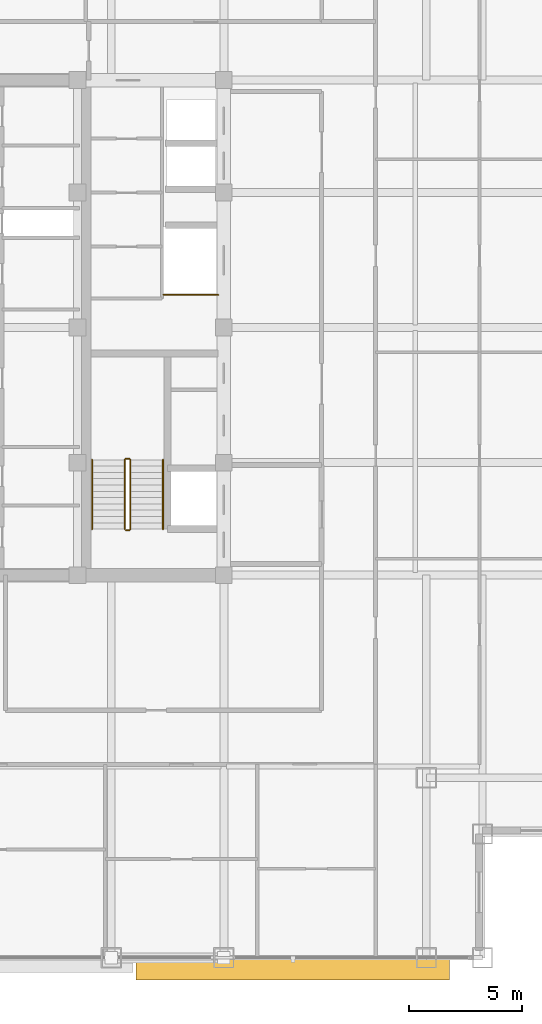
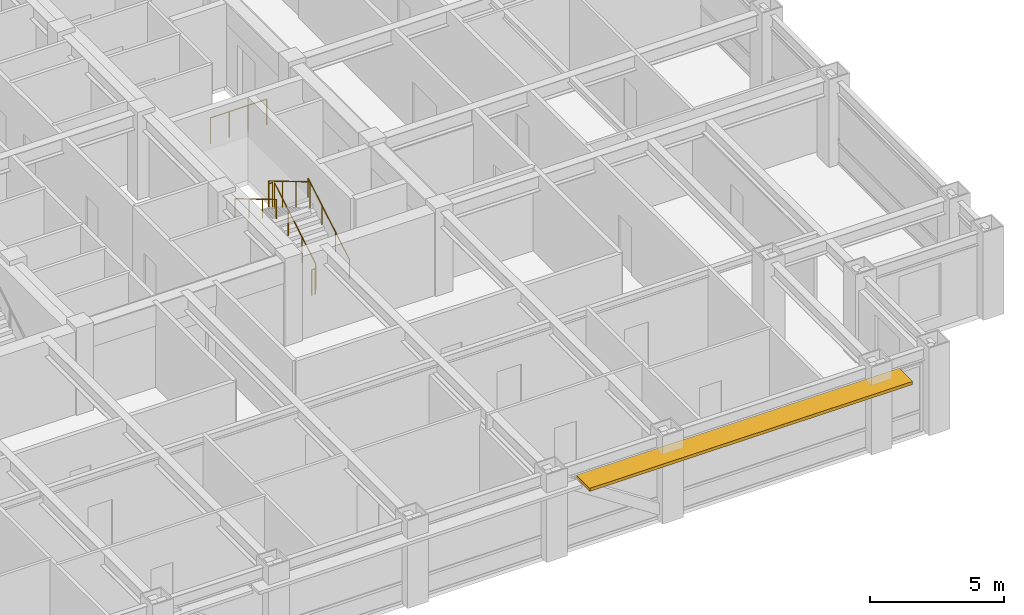
# One storey, part 25 of 27: 7 railings, 1 shading device.
"""IFC4 building model written with IfcOpenShell, lengths in metres."""

from ifc_helpers import new_model, si_unit, direction, frame, origin, origin_2d, place, context, subcontext, project, spatial, rectangle, circle, extrude, source, transform, mapped, material, layer, layer_set, type_object, element, save


model = new_model("IFC4")

# Units and contexts
model_context = context("Model", 3, precision=1e-05, world=origin(), true_north=direction((0.0, 1.0)))
body_context = subcontext(model_context, "Body", "Model", "MODEL_VIEW")
ifc_project = project(units=[si_unit("LENGTHUNIT", "METRE"), si_unit("AREAUNIT", "SQUARE_METRE"), si_unit("VOLUMEUNIT", "CUBIC_METRE"), si_unit("PLANEANGLEUNIT", "RADIAN"), si_unit("MASSUNIT", "GRAM", prefix="KILO")], contexts=[model_context])

# Site, building, storey
site_placement = place(None, origin())
site = spatial("IfcSite", under=ifc_project, at=site_placement, CompositionType="ELEMENT")
building_placement = place(site_placement, origin())
building = spatial("IfcBuilding", under=site, at=building_placement, Name="Khorayat Bourse Tower", CompositionType="ELEMENT")
storey_placement = place(building_placement, frame((0.0, 0.0, 281.5)))
storey = spatial("IfcBuildingStorey", under=building, at=storey_placement, Name="L66", CompositionType="ELEMENT", Elevation=281.5)

# Shading device
ifc_material_1 = material(Name="Precast concrete C45/55", Category="concrete")
ifc_layer = layer(ifc_material_1, 0.139892578125)
ifc_layer_set = layer_set([ifc_layer], Name="Precast concrete C45/55")
shading_device_type = type_object("IfcShadingDeviceType", Name="SHD-WAVE-TRAY-B", PredefinedType="USERDEFINED", material=ifc_layer_set)
shared_shape_1 = source(origin(), body_context, "Body", "SweptSolid", [
    extrude(rectangle(XDim=13.9267578125, YDim=1.00537109375, at=origin_2d()), origin(), (0.0, 0.0, 1.0), 0.139892578125),
])
shading_device_placement = place(storey_placement, frame((14.066650390625, -28.482666015625, 3.0302734375), z_axis=(0.0, 0.0, 1.0), x_axis=(1.0, 0.0, 0.0)))
element("IfcShadingDevice", 1, at=shading_device_placement, inside=storey, type_object=shading_device_type, Name="L66 Sinusoidal Wave Sunshade Tray S-3", ObjectType="SUNSHADE", PredefinedType="USERDEFINED", context=body_context, shape_type="MappedRepresentation", body=[
    mapped(shared_shape_1, transform((0.0, 0.0, 0.0), scale=1.0)),
])

# Railings
ifc_material_2 = material(Name="Powder-coated steel balustrade", Category="steel")
railing_type_1 = type_object("IfcRailingType", Name="RLG-GUARD-1200", PredefinedType="GUARDRAIL", material=ifc_material_2)
shared_shape_2 = source(origin(), body_context, "Body", "SweptSolid", [
    extrude(circle(Radius=0.02392578125, at=origin_2d()), frame((0.0, 0.0, 1.17578125), z_axis=(-1.0, 0.0, 0.0), x_axis=(0.0, -1.0, 0.0)), (0.0, 0.0, 1.0), 0.150146484375),
    extrude(circle(Radius=0.02099609375, at=origin_2d()), origin(), (0.0, 0.0, 1.0), 1.15185546875),
    extrude(circle(Radius=0.02099609375, at=origin_2d()), frame((-0.150146484375, 0.0, 0.0)), (0.0, 0.0, 1.0), 1.15185546875),
])
for number, where, name in (
    (2, (6.800048828125, -5.820068359375, 2.0), "L66 ST-3 stair guard 2"),
    (3, (6.800048828125, -9.0, 0.0), "L66 ST-3 stair guard 4"),
):
    element("IfcRailing", number, at=place(storey_placement, frame(where)), inside=storey, type_object=railing_type_1, Name=name, PredefinedType="GUARDRAIL", context=body_context, shape_type="MappedRepresentation", body=[
        mapped(shared_shape_2, transform((0.0, 0.0, 0.0), scale=1.0)),
    ])
shared_shape_3 = source(origin(), body_context, "Body", "SweptSolid", [
    extrude(circle(Radius=0.02392578125, at=origin_2d()), frame((0.0, 0.0, 1.17578125), z_axis=(0.0, 0.859290745958, 0.51148745235), x_axis=(-1.0, 0.0, 0.0)), (0.0, 0.0, 1.0), 3.584228515625),
    extrude(circle(Radius=0.02099609375, at=origin_2d()), origin(), (0.0, 0.0, 1.0), 1.15185546875),
    extrude(circle(Radius=0.02099609375, at=origin_2d()), frame((0.0, 1.026611328125, 0.611083984375)), (0.0, 0.0, 1.0), 1.15185546875),
    extrude(circle(Radius=0.02099609375, at=origin_2d()), frame((0.0, 2.05322265625, 1.22216796875)), (0.0, 0.0, 1.0), 1.15185546875),
    extrude(circle(Radius=0.02099609375, at=origin_2d()), frame((0.0, 3.079833984375, 1.833251953125)), (0.0, 0.0, 1.0), 1.15185546875),
])
railing_1_placement = place(storey_placement, frame((6.85009765625, -8.949951171875, 0.166748046875)))
element("IfcRailing", 4, at=railing_1_placement, inside=storey, type_object=railing_type_1, Name="L66 ST-3 stair guard 1", PredefinedType="GUARDRAIL", context=body_context, shape_type="MappedRepresentation", body=[
    mapped(shared_shape_3, transform((0.0, 0.0, 0.0), scale=1.0)),
])
shared_shape_4 = source(origin(), body_context, "Body", "SweptSolid", [
    extrude(circle(Radius=0.02392578125, at=origin_2d()), frame((0.0, 0.0, 1.17578125), z_axis=(0.0, -0.859290745958, 0.51148745235), x_axis=(1.0, 0.0, 0.0)), (0.0, 0.0, 1.0), 3.584228515625),
    extrude(circle(Radius=0.02099609375, at=origin_2d()), origin(), (0.0, 0.0, 1.0), 1.15185546875),
    extrude(circle(Radius=0.02099609375, at=origin_2d()), frame((0.0, -1.026611328125, 0.611083984375)), (0.0, 0.0, 1.0), 1.15185546875),
    extrude(circle(Radius=0.02099609375, at=origin_2d()), frame((0.0, -2.05322265625, 1.22216796875)), (0.0, 0.0, 1.0), 1.15185546875),
    extrude(circle(Radius=0.02099609375, at=origin_2d()), frame((0.0, -3.079833984375, 1.833251953125)), (0.0, 0.0, 1.0), 1.15185546875),
])
railing_2_placement = place(storey_placement, frame((6.60009765625, -5.8701171875, 2.166748046875)))
element("IfcRailing", 5, at=railing_2_placement, inside=storey, type_object=railing_type_1, Name="L66 ST-3 stair guard 3", PredefinedType="GUARDRAIL", context=body_context, shape_type="MappedRepresentation", body=[
    mapped(shared_shape_4, transform((0.0, 0.0, 0.0), scale=1.0)),
])
ifc_material_3 = material(Name="Brushed bronze stainless-steel handrail", Category="steel")
railing_type_2 = type_object("IfcRailingType", Name="RLG-HAND-900", PredefinedType="HANDRAIL", material=ifc_material_3)
shared_shape_5 = source(origin(), body_context, "Body", "SweptSolid", [
    extrude(circle(Radius=0.02392578125, at=origin_2d()), frame((0.0, 0.0, 0.8759765625), z_axis=(0.0, 0.859290745958, 0.51148745235), x_axis=(-1.0, 0.0, 0.0)), (0.0, 0.0, 1.0), 3.584228515625),
    extrude(circle(Radius=0.02099609375, at=origin_2d()), origin(), (0.0, 0.0, 1.0), 0.851806640625),
    extrude(circle(Radius=0.02099609375, at=origin_2d()), frame((0.0, 1.026611328125, 0.611083984375)), (0.0, 0.0, 1.0), 0.851806640625),
    extrude(circle(Radius=0.02099609375, at=origin_2d()), frame((0.0, 2.05322265625, 1.22216796875)), (0.0, 0.0, 1.0), 0.851806640625),
    extrude(circle(Radius=0.02099609375, at=origin_2d()), frame((0.0, 3.079833984375, 1.833251953125)), (0.0, 0.0, 1.0), 0.851806640625),
])
railing_3_placement = place(storey_placement, frame((8.300048828125, -8.949951171875, 0.166748046875)))
element("IfcRailing", 6, at=railing_3_placement, inside=storey, type_object=railing_type_2, Name="L66 ST-3 stair handrail 1", PredefinedType="HANDRAIL", context=body_context, shape_type="MappedRepresentation", body=[
    mapped(shared_shape_5, transform((0.0, 0.0, 0.0), scale=1.0)),
])
shared_shape_6 = source(origin(), body_context, "Body", "SweptSolid", [
    extrude(circle(Radius=0.02392578125, at=origin_2d()), frame((0.0, 0.0, 0.8759765625), z_axis=(0.0, -0.859290745958, 0.51148745235), x_axis=(1.0, 0.0, 0.0)), (0.0, 0.0, 1.0), 3.584228515625),
    extrude(circle(Radius=0.02099609375, at=origin_2d()), origin(), (0.0, 0.0, 1.0), 0.851806640625),
    extrude(circle(Radius=0.02099609375, at=origin_2d()), frame((0.0, -1.026611328125, 0.611083984375)), (0.0, 0.0, 1.0), 0.851806640625),
    extrude(circle(Radius=0.02099609375, at=origin_2d()), frame((0.0, -2.05322265625, 1.22216796875)), (0.0, 0.0, 1.0), 0.851806640625),
    extrude(circle(Radius=0.02099609375, at=origin_2d()), frame((0.0, -3.079833984375, 1.833251953125)), (0.0, 0.0, 1.0), 0.851806640625),
])
railing_4_placement = place(storey_placement, frame((5.14990234375, -5.8701171875, 2.166748046875)))
element("IfcRailing", 7, at=railing_4_placement, inside=storey, type_object=railing_type_2, Name="L66 ST-3 stair handrail 2", PredefinedType="HANDRAIL", context=body_context, shape_type="MappedRepresentation", body=[
    mapped(shared_shape_6, transform((0.0, 0.0, 0.0), scale=1.0)),
])
shared_shape_7 = source(origin(), body_context, "Body", "SweptSolid", [
    extrude(circle(Radius=0.02392578125, at=origin_2d()), frame((0.0, 0.0, 1.17578125), z_axis=(1.0, 0.0, 0.0), x_axis=(0.0, 1.0, 0.0)), (0.0, 0.0, 1.0), 2.429931640625),
    extrude(circle(Radius=0.02099609375, at=origin_2d()), origin(), (0.0, 0.0, 1.0), 1.15185546875),
    extrude(circle(Radius=0.02099609375, at=origin_2d()), frame((0.81005859375, 0.0, 0.0)), (0.0, 0.0, 1.0), 1.15185546875),
    extrude(circle(Radius=0.02099609375, at=origin_2d()), frame((1.619873046875, 0.0, 0.0)), (0.0, 0.0, 1.0), 1.15185546875),
    extrude(circle(Radius=0.02099609375, at=origin_2d()), frame((2.429931640625, 0.0, 0.0)), (0.0, 0.0, 1.0), 1.15185546875),
])
railing_5_placement = place(storey_placement, frame((8.320068359375, 1.4599609375, 0.0)))
element("IfcRailing", 8, at=railing_5_placement, inside=storey, type_object=railing_type_1, Name="L66 Goods Shaft Opening Guardrail", PredefinedType="GUARDRAIL", context=body_context, shape_type="MappedRepresentation", body=[
    mapped(shared_shape_7, transform((0.0, 0.0, 0.0), scale=1.0)),
])

save(model, "model.ifc")
